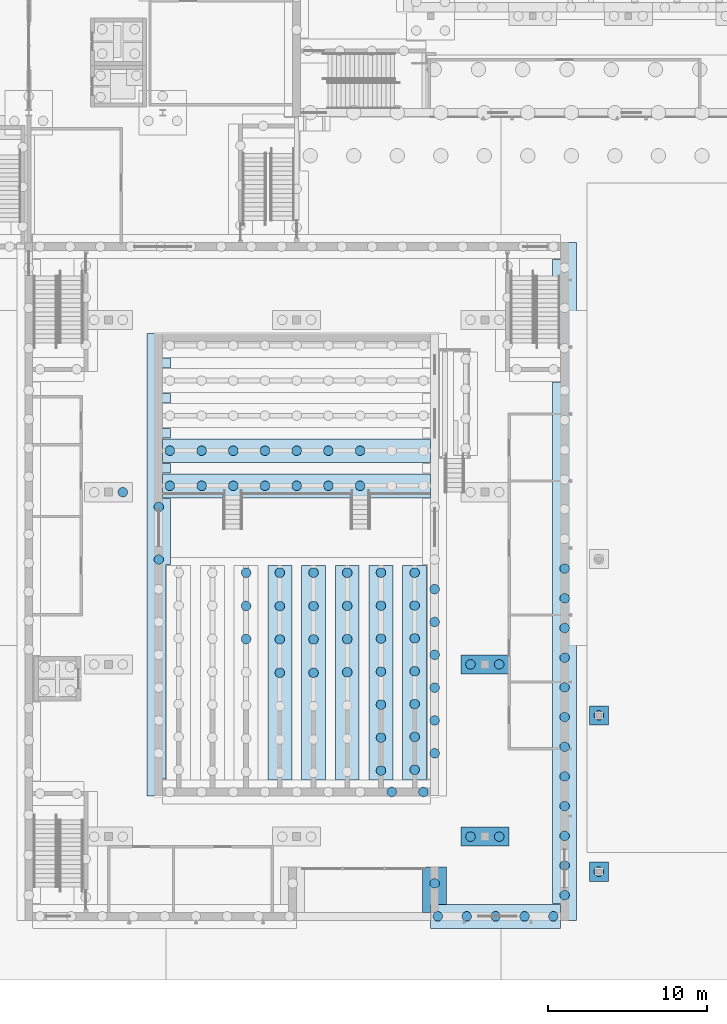
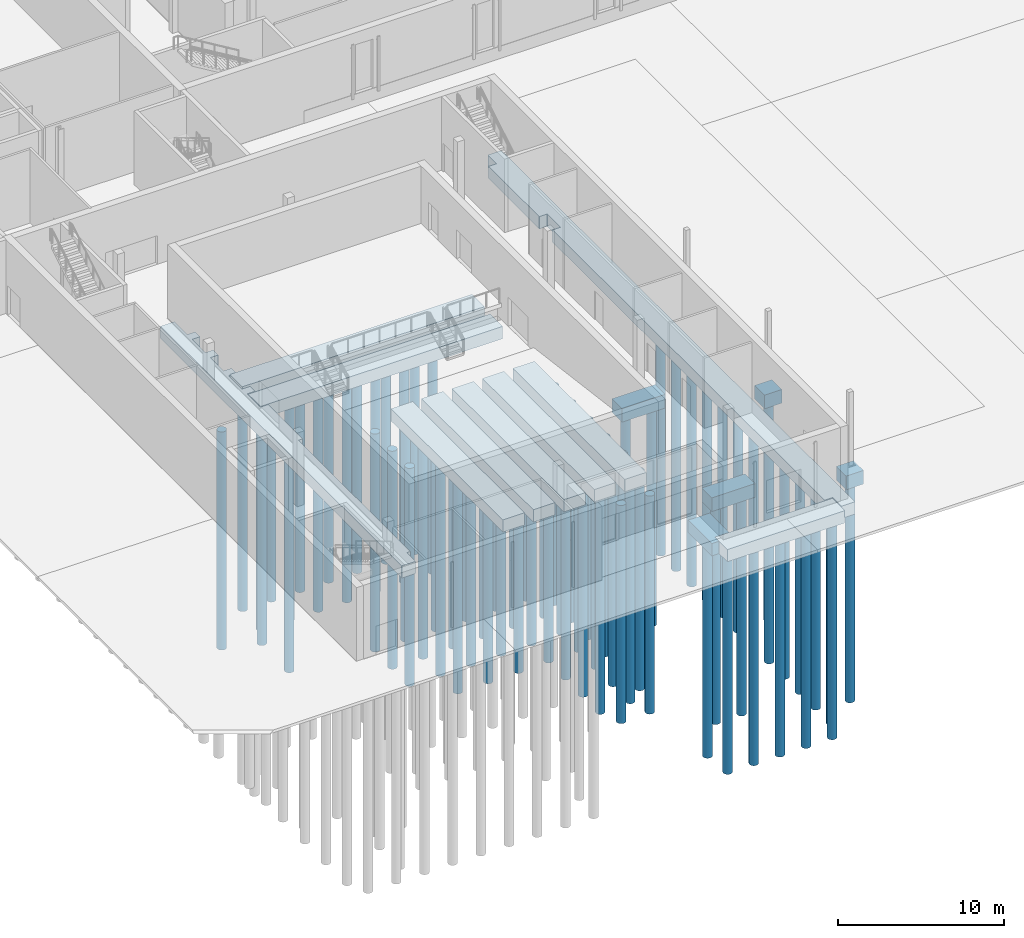
# One storey, part 2 of 127: 78 piles, 15 footings.
"""IFC4 building model written with IfcOpenShell, lengths in metres."""

from ifc_helpers import new_model, si_unit, direction, frame, origin, origin_2d, place, context, subcontext, project, spatial, polyline, circle, outline, extrude, material, layer, layer_set, material_profile, profile_set, type_object, element, save


model = new_model("IFC4")

# Units and contexts
model_context = context("Model", 3, precision=1e-05, world=origin(), true_north=direction((0.0, 1.0)))
body_context = subcontext(model_context, "Body", "Model", "MODEL_VIEW")
ifc_project = project(units=[si_unit("LENGTHUNIT", "METRE"), si_unit("AREAUNIT", "SQUARE_METRE"), si_unit("VOLUMEUNIT", "CUBIC_METRE"), si_unit("PLANEANGLEUNIT", "RADIAN"), si_unit("MASSUNIT", "GRAM", prefix="KILO")], contexts=[model_context])

# Site, building, storey
site_placement = place(None, origin())
site = spatial("IfcSite", under=ifc_project, at=site_placement, CompositionType="ELEMENT")
building_placement = place(site_placement, origin())
building = spatial("IfcBuilding", under=site, at=building_placement, Name="Ljudholm Concert House", CompositionType="ELEMENT")
storey_placement = place(building_placement, origin())
storey = spatial("IfcBuildingStorey", under=building, at=storey_placement, Name="L00", CompositionType="ELEMENT", Elevation=0.0)

# Piles
ifc_material_1 = material(Name="Concrete 5,000 psi", Category="concrete")
ifc_material_profile = material_profile(ifc_material_1, circle(Radius=0.300048828125, at=origin_2d()), Name="AUGER-CAST PILE D600")
ifc_profile_set = profile_set([ifc_material_profile], Name="Concrete 5,000 psi")
pile_type = type_object("IfcPileType", Name="AUGER-CAST PILE D600", PredefinedType="BORED", material=ifc_profile_set)
for number, where, z_axis, x_axis, name in (
    (1, (18.300048828125, 30.60009765625, -1.409912109375), (0.0, 0.0, -1.0), (1.0, 0.0, 0.0), "Pile D600"),
    (2, (40.10009765625, 9.0, -1.409912109375), (0.0, 0.0, -1.0), (1.0, 0.0, 0.0), "Pile D600"),
    (3, (41.89990234375, 9.0, -1.409912109375), (0.0, 0.0, -1.0), (1.0, 0.0, 0.0), "Pile D600"),
    (4, (40.10009765625, 19.800048828125, -1.409912109375), (0.0, 0.0, -1.0), (1.0, 0.0, 0.0), "Pile D600"),
    (5, (41.89990234375, 19.800048828125, -1.409912109375), (0.0, 0.0, -1.0), (1.0, 0.0, 0.0), "Pile D600"),
    (6, (48.14990234375, 6.800048828125, -1.300048828125), (0.0, 0.0, -1.0), (1.0, 0.0, 0.0), "Pile D600"),
    (7, (48.14990234375, 16.60009765625, -1.300048828125), (0.0, 0.0, -1.0), (1.0, 0.0, 0.0), "Pile D600"),
    (8, (21.25, 31.0, -1.31005859375), (0.0, 0.0, -1.0), (1.0, 0.0, 0.0), "Pile D600"),
    (9, (23.237548828125, 31.0, -1.31005859375), (0.0, 0.0, -1.0), (1.0, 0.0, 0.0), "Pile D600"),
    (10, (25.22509765625, 31.0, -1.31005859375), (0.0, 0.0, -1.0), (1.0, 0.0, 0.0), "Pile D600"),
    (11, (27.21240234375, 31.0, -1.31005859375), (0.0, 0.0, -1.0), (1.0, 0.0, 0.0), "Pile D600"),
    (12, (29.199951171875, 31.0, -1.31005859375), (0.0, 0.0, -1.0), (1.0, 0.0, 0.0), "Pile D600"),
    (13, (31.1875, 31.0, -1.31005859375), (0.0, 0.0, -1.0), (1.0, 0.0, 0.0), "Pile D600"),
    (14, (33.175048828125, 31.0, -1.31005859375), (0.0, 0.0, -1.0), (1.0, 0.0, 0.0), "Pile D600"),
    (15, (21.25, 33.199951171875, -1.199951171875), (0.0, 0.0, -1.0), (1.0, 0.0, 0.0), "Pile D600"),
    (16, (23.237548828125, 33.199951171875, -1.199951171875), (0.0, 0.0, -1.0), (1.0, 0.0, 0.0), "Pile D600"),
    (17, (25.22509765625, 33.199951171875, -1.199951171875), (0.0, 0.0, -1.0), (1.0, 0.0, 0.0), "Pile D600"),
    (18, (27.21240234375, 33.199951171875, -1.199951171875), (0.0, 0.0, -1.0), (1.0, 0.0, 0.0), "Pile D600"),
    (19, (29.199951171875, 33.199951171875, -1.199951171875), (0.0, 0.0, -1.0), (1.0, 0.0, 0.0), "Pile D600"),
    (20, (31.1875, 33.199951171875, -1.199951171875), (0.0, 0.0, -1.0), (1.0, 0.0, 0.0), "Pile D600"),
    (21, (33.175048828125, 33.199951171875, -1.199951171875), (0.0, 0.0, -1.0), (1.0, 0.0, 0.0), "Pile D600"),
    (22, (35.16259765625, 11.800048828125, -1.31005859375), (0.0, 0.0, -1.0), (1.0, 0.0, 0.0), "Pile D600"),
    (23, (37.14990234375, 11.800048828125, -1.31005859375), (0.0, 0.0, -1.0), (1.0, 0.0, 0.0), "Pile D600"),
    (24, (38.050048828125, 4.0, -1.31005859375), (0.0, 0.0, -1.0), (1.0, 0.0, 0.0), "Pile D600"),
    (25, (39.862548828125, 4.0, -1.31005859375), (0.0, 0.0, -1.0), (1.0, 0.0, 0.0), "Pile D600"),
    (26, (41.675048828125, 4.0, -1.31005859375), (0.0, 0.0, -1.0), (1.0, 0.0, 0.0), "Pile D600"),
    (27, (43.487548828125, 4.0, -1.31005859375), (0.0, 0.0, -1.0), (1.0, 0.0, 0.0), "Pile D600"),
    (28, (45.300048828125, 4.0, -1.31005859375), (0.0, 0.0, -1.0), (1.0, 0.0, 0.0), "Pile D600"),
    (29, (37.85009765625, 6.068115234375, -1.31005859375), (0.0, 0.0, -1.0), (1.0, 0.0, 0.0), "Pile D600"),
    (30, (26.028564453125, 21.388671875, -1.199951171875), (0.0, 0.0, -1.0), (1.0, 0.0, 0.0), "Pile D600"),
    (31, (26.028564453125, 23.46923828125, -1.199951171875), (0.0, 0.0, -1.0), (1.0, 0.0, 0.0), "Pile D600"),
    (32, (26.028564453125, 25.550048828125, -1.199951171875), (0.0, 0.0, -1.0), (1.0, 0.0, 0.0), "Pile D600"),
    (33, (28.142822265625, 19.27490234375, -1.199951171875), (0.0, 0.0, -1.0), (1.0, 0.0, 0.0), "Pile D600"),
    (34, (28.142822265625, 21.36669921875, -1.199951171875), (0.0, 0.0, -1.0), (1.0, 0.0, 0.0), "Pile D600"),
    (35, (28.142822265625, 23.458251953125, -1.199951171875), (0.0, 0.0, -1.0), (1.0, 0.0, 0.0), "Pile D600"),
    (36, (28.142822265625, 25.550048828125, -1.199951171875), (0.0, 0.0, -1.0), (1.0, 0.0, 0.0), "Pile D600"),
    (37, (30.257080078125, 19.27490234375, -1.199951171875), (0.0, 0.0, -1.0), (1.0, 0.0, 0.0), "Pile D600"),
    (38, (30.257080078125, 21.36669921875, -1.199951171875), (0.0, 0.0, -1.0), (1.0, 0.0, 0.0), "Pile D600"),
    (39, (30.257080078125, 23.458251953125, -1.199951171875), (0.0, 0.0, -1.0), (1.0, 0.0, 0.0), "Pile D600"),
    (40, (30.257080078125, 25.550048828125, -1.199951171875), (0.0, 0.0, -1.0), (1.0, 0.0, 0.0), "Pile D600"),
    (41, (32.371337890625, 19.30810546875, -1.199951171875), (0.0, 0.0, -1.0), (1.0, 0.0, 0.0), "Pile D600"),
    (42, (32.371337890625, 21.388671875, -1.199951171875), (0.0, 0.0, -1.0), (1.0, 0.0, 0.0), "Pile D600"),
    (43, (32.371337890625, 23.46923828125, -1.199951171875), (0.0, 0.0, -1.0), (1.0, 0.0, 0.0), "Pile D600"),
    (44, (32.371337890625, 25.550048828125, -1.199951171875), (0.0, 0.0, -1.0), (1.0, 0.0, 0.0), "Pile D600"),
    (45, (34.485595703125, 13.13818359375, -1.199951171875), (0.0, 0.0, -1.0), (1.0, 0.0, 0.0), "Pile D600"),
    (46, (34.485595703125, 15.206787109375, -1.199951171875), (0.0, 0.0, -1.0), (1.0, 0.0, 0.0), "Pile D600"),
    (47, (34.485595703125, 17.275390625, -1.199951171875), (0.0, 0.0, -1.0), (1.0, 0.0, 0.0), "Pile D600"),
    (48, (34.485595703125, 19.343994140625, -1.199951171875), (0.0, 0.0, -1.0), (1.0, 0.0, 0.0), "Pile D600"),
    (49, (34.485595703125, 21.41259765625, -1.199951171875), (0.0, 0.0, -1.0), (1.0, 0.0, 0.0), "Pile D600"),
    (50, (34.485595703125, 23.4814453125, -1.199951171875), (0.0, 0.0, -1.0), (1.0, 0.0, 0.0), "Pile D600"),
    (51, (34.485595703125, 25.550048828125, -1.199951171875), (0.0, 0.0, -1.0), (1.0, 0.0, 0.0), "Pile D600"),
    (52, (36.60009765625, 13.195068359375, -1.199951171875), (0.0, 0.0, -1.0), (1.0, 0.0, 0.0), "Pile D600"),
    (53, (36.60009765625, 15.254150390625, -1.199951171875), (0.0, 0.0, -1.0), (1.0, 0.0, 0.0), "Pile D600"),
    (54, (36.60009765625, 17.3134765625, -1.199951171875), (0.0, 0.0, -1.0), (1.0, 0.0, 0.0), "Pile D600"),
    (55, (36.60009765625, 19.37255859375, -1.199951171875), (0.0, 0.0, -1.0), (1.0, 0.0, 0.0), "Pile D600"),
    (56, (36.60009765625, 21.431640625, -1.199951171875), (0.0, 0.0, -1.0), (1.0, 0.0, 0.0), "Pile D600"),
    (57, (36.60009765625, 23.490966796875, -1.199951171875), (0.0, 0.0, -1.0), (1.0, 0.0, 0.0), "Pile D600"),
    (58, (36.60009765625, 25.550048828125, -1.199951171875), (0.0, 0.0, -1.0), (1.0, 0.0, 0.0), "Pile D600"),
    (59, (37.85009765625, 14.224609375, -1.31005859375), (0.0, 0.0, -1.0), (1.0, 0.0, 0.0), "Pile D600"),
    (60, (37.85009765625, 16.283935546875, -1.31005859375), (0.0, 0.0, -1.0), (1.0, 0.0, 0.0), "Pile D600"),
    (61, (37.85009765625, 18.343017578125, -1.31005859375), (0.0, 0.0, -1.0), (1.0, 0.0, 0.0), "Pile D600"),
    (62, (37.85009765625, 20.402099609375, -1.31005859375), (0.0, 0.0, -1.0), (1.0, 0.0, 0.0), "Pile D600"),
    (63, (37.85009765625, 22.461181640625, -1.31005859375), (0.0, 0.0, -1.0), (1.0, 0.0, 0.0), "Pile D600"),
    (64, (37.85009765625, 24.5205078125, -1.31005859375), (0.0, 0.0, -1.0), (1.0, 0.0, 0.0), "Pile D600"),
    (65, (20.550048828125, 26.37890625, -1.31005859375), (0.0, 0.0, -1.0), (1.0, 0.0, 0.0), "Pile D600"),
    (66, (20.550048828125, 29.673583984375, -1.31005859375), (0.0, 0.0, -1.0), (1.0, 0.0, 0.0), "Pile D600"),
    (67, (46.0, 5.326416015625, -1.31005859375), (0.0, 0.0, -1.0), (1.0, 0.0, 0.0), "Pile D600"),
    (68, (46.0, 7.188232421875, -1.31005859375), (0.0, 0.0, -1.0), (1.0, 0.0, 0.0), "Pile D600"),
    (69, (46.0, 9.05029296875, -1.31005859375), (0.0, 0.0, -1.0), (1.0, 0.0, 0.0), "Pile D600"),
    (70, (46.0, 10.912109375, -1.31005859375), (0.0, 0.0, -1.0), (1.0, 0.0, 0.0), "Pile D600"),
    (71, (46.0, 12.77392578125, -1.31005859375), (0.0, 0.0, -1.0), (1.0, 0.0, 0.0), "Pile D600"),
    (72, (46.0, 14.635986328125, -1.31005859375), (0.0, 0.0, -1.0), (1.0, 0.0, 0.0), "Pile D600"),
    (73, (46.0, 16.497802734375, -1.31005859375), (0.0, 0.0, -1.0), (1.0, 0.0, 0.0), "Pile D600"),
    (74, (46.0, 18.359619140625, -1.31005859375), (0.0, 0.0, -1.0), (1.0, 0.0, 0.0), "Pile D600"),
    (75, (46.0, 20.221435546875, -1.31005859375), (0.0, 0.0, -1.0), (1.0, 0.0, 0.0), "Pile D600"),
    (76, (46.0, 22.08349609375, -1.31005859375), (0.0, 0.0, -1.0), (1.0, 0.0, 0.0), "Pile D600"),
    (77, (46.0, 23.9453125, -1.31005859375), (0.0, 0.0, -1.0), (1.0, 0.0, 0.0), "Pile D600"),
    (78, (46.0, 25.80712890625, -1.31005859375), (0.0, 0.0, -1.0), (1.0, 0.0, 0.0), "Pile D600"),
):
    element("IfcPile", number, at=place(storey_placement, frame(where, z_axis=z_axis, x_axis=x_axis)), inside=storey, type_object=pile_type, Name=name, PredefinedType="BORED", context=body_context, shape_type="SweptSolid", body=[
        extrude(circle(Radius=0.300048828125, at=origin_2d()), origin(), (0.0, 0.0, 1.0), 16.0),
    ])

# Footings
ifc_material_2 = material(Name="Concrete 5,000 psi", Category="concrete")
ifc_layer_1 = layer(ifc_material_2, 1.0)
ifc_layer_set_1 = layer_set([ifc_layer_1], Name="Concrete 5,000 psi")
footing_type_1 = type_object("IfcFootingType", Name="RC PILE CAP 1200x1200x1000", PredefinedType="PILE_CAP", material=ifc_layer_set_1)
footing_1_placement = place(storey_placement, frame((0.0, 0.0, -1.300048828125)))
element("IfcFooting", 79, at=footing_1_placement, inside=storey, type_object=footing_type_1, Name="Pile cap", PredefinedType="PILE_CAP", context=body_context, shape_type="SweptSolid", body=[
    extrude(outline(polyline([(47.56005859375, 6.199951171875), (48.739990234375, 6.199951171875), (48.743896484375, 6.20068359375), (48.7470703125, 6.202880859375), (48.749267578125, 6.2060546875), (48.75, 6.2099609375), (48.75, 7.389892578125), (48.749267578125, 7.393798828125), (48.7470703125, 7.39697265625), (48.743896484375, 7.399169921875), (48.739990234375, 7.39990234375), (47.56005859375, 7.39990234375), (47.55615234375, 7.399169921875), (47.552978515625, 7.39697265625), (47.55078125, 7.393798828125), (47.550048828125, 7.389892578125), (47.550048828125, 6.2099609375), (47.55078125, 6.2060546875), (47.552978515625, 6.202880859375), (47.55615234375, 6.20068359375), (47.56005859375, 6.199951171875)])), origin(), (0.0, 0.0, 1.0), 1.0),
])
footing_2_placement = place(storey_placement, frame((0.0, 0.0, -1.300048828125)))
element("IfcFooting", 80, at=footing_2_placement, inside=storey, type_object=footing_type_1, Name="Pile cap", PredefinedType="PILE_CAP", context=body_context, shape_type="SweptSolid", body=[
    extrude(outline(polyline([(47.550048828125, 17.18994140625), (47.550048828125, 16.010009765625), (47.55078125, 16.006103515625), (47.552978515625, 16.0029296875), (47.55615234375, 16.000732421875), (47.56005859375, 16.0), (48.739990234375, 16.0), (48.743896484375, 16.000732421875), (48.7470703125, 16.0029296875), (48.749267578125, 16.006103515625), (48.75, 16.010009765625), (48.75, 17.18994140625), (48.749267578125, 17.19384765625), (48.7470703125, 17.197021484375), (48.743896484375, 17.19921875), (48.739990234375, 17.199951171875), (47.56005859375, 17.199951171875), (47.55615234375, 17.19921875), (47.552978515625, 17.197021484375), (47.55078125, 17.19384765625), (47.550048828125, 17.18994140625)])), origin(), (0.0, 0.0, 1.0), 1.0),
])
ifc_material_3 = material(Name="Concrete 5,000 psi", Category="concrete")
ifc_layer_2 = layer(ifc_material_3, 1.0)
ifc_layer_set_2 = layer_set([ifc_layer_2], Name="Concrete 5,000 psi")
footing_type_2 = type_object("IfcFootingType", Name="RC PILE CAP 3000x1200x1000", PredefinedType="PILE_CAP", material=ifc_layer_set_2)
footing_3_placement = place(storey_placement, frame((0.0, 0.0, -1.409912109375)))
element("IfcFooting", 81, at=footing_3_placement, inside=storey, type_object=footing_type_2, Name="Pile cap", PredefinedType="PILE_CAP", context=body_context, shape_type="SweptSolid", body=[
    extrude(outline(polyline([(39.510009765625, 8.39990234375), (42.489990234375, 8.39990234375), (42.493896484375, 8.40087890625), (42.498291015625, 8.404541015625), (42.5, 8.409912109375), (42.5, 9.590087890625), (42.499267578125, 9.59375), (42.49560546875, 9.598388671875), (42.489990234375, 9.60009765625), (39.510009765625, 9.60009765625), (39.506103515625, 9.59912109375), (39.501708984375, 9.595458984375), (39.5, 9.590087890625), (39.5, 8.409912109375), (39.500732421875, 8.40625), (39.5029296875, 8.40283203125), (39.506103515625, 8.40087890625), (39.510009765625, 8.39990234375)])), origin(), (0.0, 0.0, 1.0), 1.0),
])
footing_4_placement = place(storey_placement, frame((0.0, 0.0, -1.409912109375)))
element("IfcFooting", 82, at=footing_4_placement, inside=storey, type_object=footing_type_2, Name="Pile cap", PredefinedType="PILE_CAP", context=body_context, shape_type="SweptSolid", body=[
    extrude(outline(polyline([(39.5, 20.389892578125), (39.5, 19.2099609375), (39.501708984375, 19.204345703125), (39.506103515625, 19.20068359375), (39.510009765625, 19.199951171875), (42.489990234375, 19.199951171875), (42.49560546875, 19.20166015625), (42.499267578125, 19.2060546875), (42.5, 19.2099609375), (42.5, 20.389892578125), (42.498291015625, 20.3955078125), (42.493896484375, 20.399169921875), (42.489990234375, 20.39990234375), (39.510009765625, 20.39990234375), (39.506103515625, 20.399169921875), (39.5029296875, 20.39697265625), (39.500732421875, 20.393798828125), (39.5, 20.389892578125)])), origin(), (0.0, 0.0, 1.0), 1.0),
])
ifc_material_4 = material(Name="Concrete 5,000 psi", Category="concrete")
ifc_layer_3 = layer(ifc_material_4, 0.89990234375)
ifc_layer_set_3 = layer_set([ifc_layer_3], Name="Concrete 5,000 psi")
footing_type_3 = type_object("IfcFootingType", Name="RC STRIP FOOTING 1500x900", PredefinedType="STRIP_FOOTING", material=ifc_layer_set_3)
footing_5_placement = place(storey_placement, frame((0.0, 0.0, -1.31005859375)))
element("IfcFooting", 83, at=footing_5_placement, inside=storey, type_object=footing_type_3, Name="Strip footing", PredefinedType="STRIP_FOOTING", context=body_context, shape_type="SweptSolid", body=[
    extrude(outline(polyline([(20.81005859375, 30.25), (37.591064453125, 30.25), (37.5947265625, 30.251220703125), (37.59765625, 30.253662109375), (37.599609375, 30.257080078125), (37.60009765625, 30.260009765625), (37.599853515625, 31.740966796875), (37.598876953125, 31.74462890625), (37.596435546875, 31.747802734375), (37.59375, 31.749267578125), (37.590087890625, 31.75), (20.80908203125, 31.75), (20.80517578125, 31.748779296875), (20.80224609375, 31.746337890625), (20.80078125, 31.743896484375), (20.800048828125, 31.739990234375), (20.800048828125, 30.260009765625), (20.80078125, 30.256103515625), (20.802978515625, 30.2529296875), (20.80615234375, 30.250732421875), (20.81005859375, 30.25)])), origin(), (0.0, 0.0, 1.0), 0.900146484375),
])
footing_6_placement = place(storey_placement, frame((0.0, 0.0, -1.199951171875)))
element("IfcFooting", 84, at=footing_6_placement, inside=storey, type_object=footing_type_3, Name="Strip footing", PredefinedType="STRIP_FOOTING", context=body_context, shape_type="SweptSolid", body=[
    extrude(outline(polyline([(20.81005859375, 32.449951171875), (37.591064453125, 32.449951171875), (37.5947265625, 32.451171875), (37.59765625, 32.45361328125), (37.599609375, 32.45703125), (37.60009765625, 32.4599609375), (37.599853515625, 33.94091796875), (37.598876953125, 33.94482421875), (37.596435546875, 33.94775390625), (37.593017578125, 33.949462890625), (37.590087890625, 33.949951171875), (20.80908203125, 33.949951171875), (20.80517578125, 33.94873046875), (20.80224609375, 33.9462890625), (20.80078125, 33.94384765625), (20.800048828125, 33.93994140625), (20.800048828125, 32.4599609375), (20.80078125, 32.4560546875), (20.802978515625, 32.452880859375), (20.80615234375, 32.45068359375), (20.81005859375, 32.449951171875)])), origin(), (0.0, 0.0, 1.0), 0.89990234375),
])
footing_7_placement = place(storey_placement, frame((0.0, 0.0, -1.31005859375)))
element("IfcFooting", 85, at=footing_7_placement, inside=storey, type_object=footing_type_3, Name="Strip footing", PredefinedType="STRIP_FOOTING", context=body_context, shape_type="SweptSolid", body=[
    extrude(outline(polyline([(37.610107421875, 3.25), (45.741943359375, 3.250244140625), (45.74560546875, 3.251708984375), (45.747802734375, 3.253662109375), (45.74951171875, 3.257080078125), (45.75, 3.260009765625), (45.749755859375, 4.741943359375), (45.748779296875, 4.74462890625), (45.746337890625, 4.747802734375), (45.743896484375, 4.749267578125), (45.739990234375, 4.75), (37.608154296875, 4.749755859375), (37.6044921875, 4.748291015625), (37.602294921875, 4.746337890625), (37.600341796875, 4.742919921875), (37.60009765625, 4.739990234375), (37.60009765625, 3.260009765625), (37.600830078125, 3.256103515625), (37.60302734375, 3.2529296875), (37.606201171875, 3.250732421875), (37.610107421875, 3.25)])), origin(), (0.0, 0.0, 1.0), 0.900146484375),
])
footing_8_placement = place(storey_placement, frame((0.0, 0.0, -1.31005859375)))
element("IfcFooting", 86, at=footing_8_placement, inside=storey, type_object=footing_type_3, Name="Strip footing", PredefinedType="STRIP_FOOTING", context=body_context, shape_type="SweptSolid", body=[
    extrude(outline(polyline([(37.110107421875, 4.25), (37.590087890625, 4.25), (37.59375, 4.250732421875), (37.59716796875, 4.2529296875), (37.59912109375, 4.256103515625), (37.60009765625, 4.260009765625), (37.60009765625, 4.73974609375), (37.601806640625, 4.74560546875), (37.603759765625, 4.747802734375), (37.607177734375, 4.74951171875), (38.590087890625, 4.75), (38.595458984375, 4.751708984375), (38.598876953125, 4.75537109375), (38.60009765625, 4.760009765625), (38.60009765625, 7.090087890625), (38.598388671875, 7.095458984375), (38.5947265625, 7.098876953125), (38.590087890625, 7.10009765625), (37.110107421875, 7.10009765625), (37.1044921875, 7.098388671875), (37.10107421875, 7.0947265625), (37.10009765625, 7.090087890625), (37.10009765625, 4.260009765625), (37.100830078125, 4.256103515625), (37.10302734375, 4.2529296875), (37.106201171875, 4.250732421875), (37.110107421875, 4.25)])), origin(), (0.0, 0.0, 1.0), 0.900146484375),
])
footing_9_placement = place(storey_placement, frame((0.0, 0.0, -1.199951171875)))
element("IfcFooting", 87, at=footing_9_placement, inside=storey, type_object=footing_type_3, Name="Strip footing", PredefinedType="STRIP_FOOTING", context=body_context, shape_type="SweptSolid", body=[
    extrude(outline(polyline([(27.392822265625, 25.989990234375), (27.39306640625, 12.55908203125), (27.39404296875, 12.55517578125), (27.396484375, 12.55224609375), (27.39990234375, 12.550537109375), (27.40283203125, 12.550048828125), (28.8837890625, 12.550048828125), (28.8876953125, 12.55126953125), (28.890625, 12.5537109375), (28.89208984375, 12.55615234375), (28.892822265625, 12.56005859375), (28.892822265625, 25.990966796875), (28.8916015625, 25.99462890625), (28.88916015625, 25.997802734375), (28.88671875, 25.999267578125), (28.8828125, 26.0), (27.40283203125, 26.0), (27.399169921875, 25.999267578125), (27.395751953125, 25.9970703125), (27.3935546875, 25.993896484375), (27.392822265625, 25.989990234375)])), origin(), (0.0, 0.0, 1.0), 0.89990234375),
])
footing_10_placement = place(storey_placement, frame((0.0, 0.0, -1.199951171875)))
element("IfcFooting", 88, at=footing_10_placement, inside=storey, type_object=footing_type_3, Name="Strip footing", PredefinedType="STRIP_FOOTING", context=body_context, shape_type="SweptSolid", body=[
    extrude(outline(polyline([(29.507080078125, 25.989990234375), (29.507080078125, 12.55908203125), (29.50830078125, 12.55517578125), (29.5107421875, 12.55224609375), (29.51416015625, 12.550537109375), (29.51708984375, 12.550048828125), (30.998046875, 12.550048828125), (31.001708984375, 12.55126953125), (31.0048828125, 12.5537109375), (31.00634765625, 12.55615234375), (31.007080078125, 12.56005859375), (31.007080078125, 25.990966796875), (31.005859375, 25.99462890625), (31.00341796875, 25.997802734375), (31.0009765625, 25.999267578125), (30.9970703125, 26.0), (29.51708984375, 26.0), (29.51318359375, 25.999267578125), (29.510009765625, 25.9970703125), (29.5078125, 25.993896484375), (29.507080078125, 25.989990234375)])), origin(), (0.0, 0.0, 1.0), 0.89990234375),
])
footing_11_placement = place(storey_placement, frame((0.0, 0.0, -1.199951171875)))
element("IfcFooting", 89, at=footing_11_placement, inside=storey, type_object=footing_type_3, Name="Strip footing", PredefinedType="STRIP_FOOTING", context=body_context, shape_type="SweptSolid", body=[
    extrude(outline(polyline([(31.621337890625, 25.989990234375), (31.621337890625, 12.55908203125), (31.62255859375, 12.55517578125), (31.625, 12.55224609375), (31.62841796875, 12.550537109375), (31.63134765625, 12.550048828125), (33.1123046875, 12.550048828125), (33.1162109375, 12.55126953125), (33.119140625, 12.5537109375), (33.120849609375, 12.55712890625), (33.121337890625, 12.56005859375), (33.121337890625, 25.990966796875), (33.1201171875, 25.99462890625), (33.11767578125, 25.997802734375), (33.115234375, 25.999267578125), (33.111328125, 26.0), (31.63134765625, 26.0), (31.627685546875, 25.999267578125), (31.624267578125, 25.9970703125), (31.6220703125, 25.993896484375), (31.621337890625, 25.989990234375)])), origin(), (0.0, 0.0, 1.0), 0.89990234375),
])
footing_12_placement = place(storey_placement, frame((0.0, 0.0, -1.199951171875)))
element("IfcFooting", 90, at=footing_12_placement, inside=storey, type_object=footing_type_3, Name="Strip footing", PredefinedType="STRIP_FOOTING", context=body_context, shape_type="SweptSolid", body=[
    extrude(outline(polyline([(33.735595703125, 25.989990234375), (33.73583984375, 12.55908203125), (33.73681640625, 12.55517578125), (33.7392578125, 12.55224609375), (33.741943359375, 12.55078125), (33.74560546875, 12.550048828125), (35.2265625, 12.550048828125), (35.23046875, 12.55126953125), (35.2333984375, 12.5537109375), (35.2353515625, 12.55712890625), (35.235595703125, 12.56005859375), (35.235595703125, 25.990966796875), (35.234619140625, 25.99462890625), (35.23193359375, 25.997802734375), (35.2294921875, 25.999267578125), (35.2255859375, 26.0), (33.74560546875, 26.0), (33.741943359375, 25.999267578125), (33.738525390625, 25.9970703125), (33.736572265625, 25.993896484375), (33.735595703125, 25.989990234375)])), origin(), (0.0, 0.0, 1.0), 0.89990234375),
])
footing_13_placement = place(storey_placement, frame((0.0, 0.0, -1.199951171875)))
element("IfcFooting", 91, at=footing_13_placement, inside=storey, type_object=footing_type_3, Name="Strip footing", PredefinedType="STRIP_FOOTING", context=body_context, shape_type="SweptSolid", body=[
    extrude(outline(polyline([(35.860107421875, 12.550048828125), (37.340087890625, 12.550048828125), (37.34375, 12.55078125), (37.346435546875, 12.55224609375), (37.348876953125, 12.55517578125), (37.349853515625, 12.55908203125), (37.35009765625, 25.989990234375), (37.349609375, 25.992919921875), (37.34765625, 25.996337890625), (37.3447265625, 25.998779296875), (37.341064453125, 26.0), (35.860107421875, 26.0), (35.856201171875, 25.999267578125), (35.853759765625, 25.997802734375), (35.85107421875, 25.99462890625), (35.85009765625, 25.990966796875), (35.85009765625, 12.56005859375), (35.850830078125, 12.55615234375), (35.85302734375, 12.552978515625), (35.856201171875, 12.55078125), (35.860107421875, 12.550048828125)])), origin(), (0.0, 0.0, 1.0), 0.89990234375),
])
footing_14_placement = place(storey_placement, frame((0.0, 0.0, -1.31005859375)))
element("IfcFooting", 92, at=footing_14_placement, inside=storey, type_object=footing_type_3, Name="Strip footing", PredefinedType="STRIP_FOOTING", context=body_context, shape_type="SweptSolid", body=[
    extrude(outline(polyline([(19.81005859375, 11.550048828125), (20.739990234375, 11.550048828125), (20.742919921875, 11.550537109375), (20.746337890625, 11.55224609375), (20.748779296875, 11.55517578125), (20.75, 11.56005859375), (20.750244140625, 12.592041015625), (20.751220703125, 12.5947265625), (20.753662109375, 12.59765625), (20.757080078125, 12.599609375), (20.76025390625, 12.60009765625), (20.990966796875, 12.60009765625), (20.99462890625, 12.60107421875), (20.997802734375, 12.603759765625), (20.999267578125, 12.606201171875), (21.0, 12.610107421875), (21.0, 26.039794921875), (21.00048828125, 26.04296875), (21.002197265625, 26.04638671875), (21.00537109375, 26.048828125), (21.009033203125, 26.050048828125), (21.2900390625, 26.050048828125), (21.2939453125, 26.05078125), (21.29638671875, 26.05224609375), (21.298828125, 26.05517578125), (21.300048828125, 26.05908203125), (21.300048828125, 30.18994140625), (21.29931640625, 30.19384765625), (21.297119140625, 30.197021484375), (21.2939453125, 30.19921875), (21.2900390625, 30.199951171875), (20.76025390625, 30.199951171875), (20.75439453125, 30.20166015625), (20.751708984375, 30.204345703125), (20.75048828125, 30.20703125), (20.75, 31.789794921875), (20.750732421875, 31.793701171875), (20.7529296875, 31.797119140625), (20.756103515625, 31.79931640625), (20.76025390625, 31.800048828125), (21.2900390625, 31.800048828125), (21.2939453125, 31.80078125), (21.297119140625, 31.802978515625), (21.29931640625, 31.80615234375), (21.300048828125, 31.81005859375), (21.300048828125, 32.389892578125), (21.29931640625, 32.393798828125), (21.297119140625, 32.39697265625), (21.2939453125, 32.399169921875), (21.2900390625, 32.39990234375), (20.76025390625, 32.39990234375), (20.75439453125, 32.401611328125), (20.752197265625, 32.403564453125), (20.75048828125, 32.406982421875), (20.75, 33.98974609375), (20.750732421875, 33.993896484375), (20.7529296875, 33.9970703125), (20.756103515625, 33.999267578125), (20.76025390625, 34.0), (21.2900390625, 34.0), (21.2939453125, 34.000732421875), (21.297119140625, 34.0029296875), (21.29931640625, 34.006103515625), (21.300048828125, 34.010009765625), (21.300048828125, 34.590087890625), (21.29931640625, 34.59375), (21.297119140625, 34.59716796875), (21.2939453125, 34.59912109375), (21.2900390625, 34.60009765625), (20.76025390625, 34.60009765625), (20.75439453125, 34.601806640625), (20.752197265625, 34.603759765625), (20.75048828125, 34.607177734375), (20.75, 36.189697265625), (20.750732421875, 36.19384765625), (20.7529296875, 36.197021484375), (20.756103515625, 36.19921875), (20.76025390625, 36.199951171875), (21.2900390625, 36.199951171875), (21.2939453125, 36.20068359375), (21.297119140625, 36.202880859375), (21.29931640625, 36.2060546875), (21.300048828125, 36.2099609375), (21.300048828125, 36.7900390625), (21.29931640625, 36.7939453125), (21.297119140625, 36.797119140625), (21.2939453125, 36.79931640625), (21.2900390625, 36.800048828125), (20.76025390625, 36.800048828125), (20.75439453125, 36.8017578125), (20.752197265625, 36.8037109375), (20.75048828125, 36.80712890625), (20.75, 38.3896484375), (20.750732421875, 38.393798828125), (20.7529296875, 38.39697265625), (20.756103515625, 38.399169921875), (20.76025390625, 38.39990234375), (21.2900390625, 38.39990234375), (21.2939453125, 38.40087890625), (21.297119140625, 38.40283203125), (21.29931640625, 38.40625), (21.300048828125, 38.409912109375), (21.300048828125, 38.989990234375), (21.29931640625, 38.993896484375), (21.297119140625, 38.9970703125), (21.2939453125, 38.999267578125), (21.2900390625, 39.0), (20.76025390625, 39.0), (20.75439453125, 39.001708984375), (20.750732421875, 39.006103515625), (20.75, 39.01025390625), (20.75, 40.5400390625), (20.749267578125, 40.5439453125), (20.7470703125, 40.547119140625), (20.743896484375, 40.54931640625), (20.739990234375, 40.550048828125), (19.81005859375, 40.550048828125), (19.80615234375, 40.54931640625), (19.802978515625, 40.547119140625), (19.80078125, 40.5439453125), (19.800048828125, 40.5400390625), (19.800048828125, 11.56005859375), (19.80078125, 11.55615234375), (19.802978515625, 11.552978515625), (19.80615234375, 11.55078125), (19.81005859375, 11.550048828125)])), origin(), (0.0, 0.0, 1.0), 0.900146484375),
])
footing_15_placement = place(storey_placement, frame((0.0, 0.0, -1.31005859375)))
element("IfcFooting", 93, at=footing_15_placement, inside=storey, type_object=footing_type_3, Name="Strip footing", PredefinedType="STRIP_FOOTING", context=body_context, shape_type="SweptSolid", body=[
    extrude(outline(polyline([(45.260009765625, 39.10498046875), (45.789794921875, 39.10498046875), (45.795654296875, 39.103271484375), (45.79833984375, 39.1005859375), (45.799560546875, 39.097900390625), (45.800048828125, 37.51513671875), (45.79931640625, 37.51123046875), (45.797119140625, 37.508056640625), (45.793701171875, 37.505859375), (45.789794921875, 37.5048828125), (45.260009765625, 37.5048828125), (45.256103515625, 37.504150390625), (45.2529296875, 37.501953125), (45.250732421875, 37.498779296875), (45.25, 37.4951171875), (45.25, 4.81005859375), (45.250732421875, 4.80615234375), (45.2529296875, 4.802978515625), (45.256103515625, 4.80078125), (45.260009765625, 4.800048828125), (45.789794921875, 4.800048828125), (45.794677734375, 4.798828125), (45.798828125, 4.794677734375), (45.800048828125, 4.789794921875), (45.800048828125, 3.760009765625), (45.80126953125, 3.75537109375), (45.804443359375, 3.751708984375), (45.81005859375, 3.75), (46.739990234375, 3.75), (46.743896484375, 3.750732421875), (46.7470703125, 3.7529296875), (46.749267578125, 3.756103515625), (46.75, 3.760009765625), (46.75, 46.239990234375), (46.74951171875, 46.242919921875), (46.747802734375, 46.246337890625), (46.74560546875, 46.248291015625), (46.741943359375, 46.249755859375), (45.81005859375, 46.25), (45.804443359375, 46.248291015625), (45.80126953125, 46.24462890625), (45.800048828125, 46.239990234375), (45.800048828125, 45.210205078125), (45.798828125, 45.205322265625), (45.794677734375, 45.201171875), (45.789794921875, 45.199951171875), (45.260009765625, 45.199951171875), (45.257080078125, 45.199462890625), (45.253662109375, 45.19775390625), (45.251708984375, 45.195556640625), (45.250244140625, 45.19189453125), (45.25, 39.114990234375), (45.250732421875, 39.111083984375), (45.2529296875, 39.10791015625), (45.256103515625, 39.105712890625), (45.260009765625, 39.10498046875)])), origin(), (0.0, 0.0, 1.0), 0.900146484375),
])

save(model, "model.ifc")
